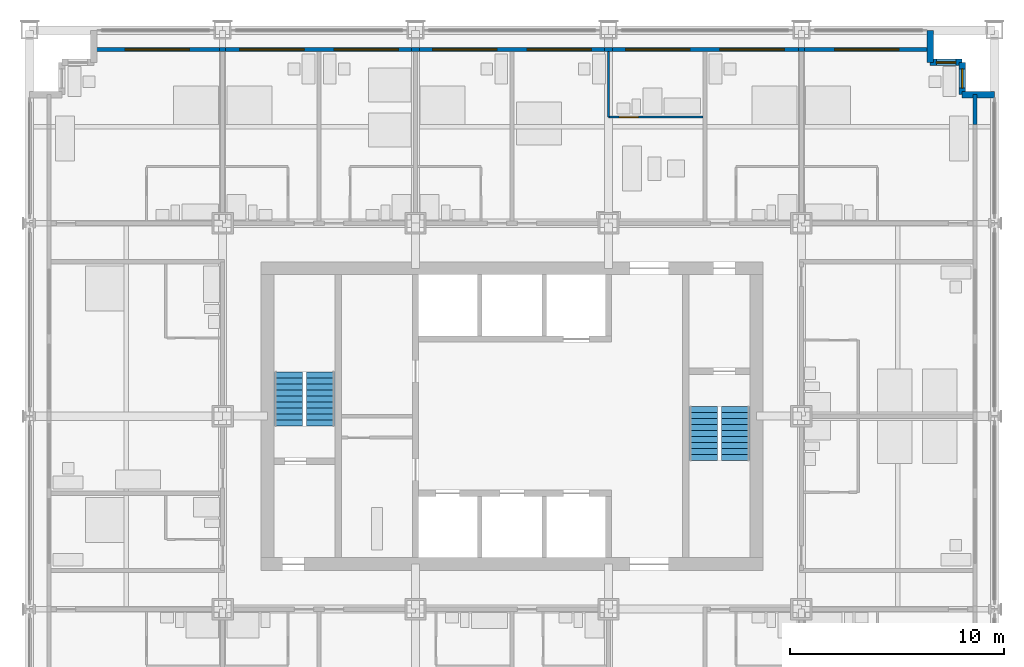
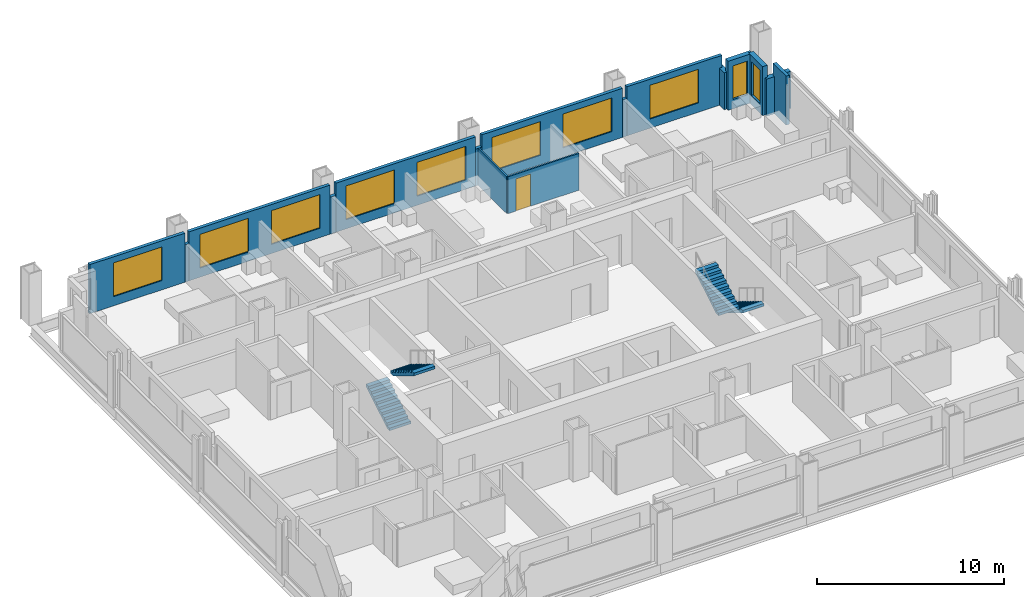
# One storey, part 13 of 16: 16 walls, 10 windows, 4 stair flights, 1 door, 11 openings, 2 elements without a shape of their own.
"""IFC4 building model written with IfcOpenShell, lengths in metres."""

from ifc_helpers import new_model, si_unit, direction, frame, frame_2d, origin, place, context, subcontext, project, spatial, polyline, rectangle, outline, extrude, material, layer, layer_set, type_object, element, fill, aggregate, save


model = new_model("IFC4")

# Units and contexts
model_context = context("Model", 3, precision=1e-05, world=origin(), true_north=direction((0.0, 1.0)))
body_context = subcontext(model_context, "Body", "Model", "MODEL_VIEW")
ifc_project = project(units=[si_unit("LENGTHUNIT", "METRE"), si_unit("AREAUNIT", "SQUARE_METRE"), si_unit("VOLUMEUNIT", "CUBIC_METRE"), si_unit("PLANEANGLEUNIT", "RADIAN"), si_unit("MASSUNIT", "GRAM", prefix="KILO")], contexts=[model_context])

# Site, building, storey
site_placement = place(None, origin())
site = spatial("IfcSite", under=ifc_project, at=site_placement, CompositionType="ELEMENT")
building_placement = place(site_placement, origin())
building = spatial("IfcBuilding", under=site, at=building_placement, Name="Loomwork Tower", CompositionType="ELEMENT")
storey_placement = place(building_placement, frame((0.0, 0.0, 97.60009765625)))
storey = spatial("IfcBuildingStorey", under=building, at=storey_placement, Name="L25", CompositionType="ELEMENT", Elevation=97.60009765625)

# Wall, opening, door
ifc_material_1 = material(Name="Cement board on steel studs", Category="steel")
ifc_layer_1 = layer(ifc_material_1, 0.10009765625)
ifc_layer_set_1 = layer_set([ifc_layer_1], Name="En-suite partition 100")
wall_type_1 = type_object("IfcWallType", Name="En-suite partition 100", PredefinedType="PARTITIONING", material=ifc_layer_set_1)
wall_1_placement = place(storey_placement, frame((27.0, 31.949951171875, 0.0), z_axis=(0.0, 0.0, 1.0), x_axis=(1.0, 0.0, 0.0)))
wall_1 = element("IfcWall", 1, at=wall_1_placement, inside=storey, type_object=wall_type_1, Name="Spa bathroom wall L25 room 11", PredefinedType="PARTITIONING", context=body_context, shape_type="SweptSolid", body=[
    extrude(rectangle(XDim=4.39990234375, YDim=0.10009765625, at=frame_2d((2.199951171875, 0.0))), origin(), (0.0, 0.0, 1.0), 2.40380859375),
])
opening_1_placement = place(wall_1_placement, frame((0.5, 0.0, 0.0)))
opening_1 = element("IfcOpeningElement", 2, at=opening_1_placement, cuts=wall_1, Name="Opening D2", PredefinedType="OPENING", context=body_context, shape_type="SweptSolid", body=[
    extrude(rectangle(XDim=0.89990234375, YDim=2.10009765625, at=frame_2d((0.449951171875, 1.050048828125))), frame((0.0, 0.06005859375, 0.0), z_axis=(0.0, -1.0, 0.0), x_axis=(1.0, 0.0, 0.0)), (0.0, 0.0, 1.0), 0.1201171875),
])
ifc_material_2 = material(Name="Hollow metal door and frame")
door_type = type_object("IfcDoorType", Name="En-suite door 900", OperationType="SINGLE_SWING_LEFT", PredefinedType="DOOR", material=ifc_material_2)
door_placement = place(opening_1_placement, origin())
door = element("IfcDoor", 3, at=door_placement, inside=storey, type_object=door_type, Name="Spa bathroom door room 11", OperationType="SINGLE_SWING_LEFT", OverallHeight=2.10009765625, OverallWidth=0.89990234375, PredefinedType="DOOR", context=body_context, shape_type="SweptSolid", body=[
    extrude(rectangle(XDim=0.89990234375, YDim=2.10009765625, at=frame_2d((0.449951171875, 1.050048828125))), frame((0.0, 0.02490234375, 0.0), z_axis=(0.0, -1.0, 0.0), x_axis=(1.0, 0.0, 0.0)), (0.0, 0.0, 1.0), 0.050048828125),
])
fill(opening_1, door)

# Wall
wall_2_placement = place(storey_placement, frame((27.0, 31.949951171875, 0.0), z_axis=(0.0, 0.0, 1.0), x_axis=(0.0, 1.0, 0.0)))
element("IfcWall", 4, at=wall_2_placement, inside=storey, type_object=wall_type_1, Name="Spa bathroom side wall L25 room 11", PredefinedType="PARTITIONING", context=body_context, shape_type="SweptSolid", body=[
    extrude(rectangle(XDim=3.050048828125, YDim=0.10009765625, at=frame_2d((1.52490234375, 0.0))), origin(), (0.0, 0.0, 1.0), 2.40478515625),
])

# Wall, opening, window
ifc_material_3 = material(Name="Insulated steel stud wall with gypsum lining", Category="steel")
ifc_layer_2 = layer(ifc_material_3, 0.199951171875)
ifc_layer_set_2 = layer_set([ifc_layer_2], Name="Inner skin wall 200")
wall_type_2 = type_object("IfcWallType", Name="Inner skin wall 200", PredefinedType="SOLIDWALL", material=ifc_layer_set_2)
wall_3_placement = place(storey_placement, frame((3.0, 35.10009765625, 0.0), z_axis=(0.0, 0.0, 1.0), x_axis=(1.0, 0.0, 0.0)))
wall_3 = element("IfcWall", 5, at=wall_3_placement, inside=storey, type_object=wall_type_2, Name="Inner skin wall N", PredefinedType="SOLIDWALL", context=body_context, shape_type="SweptSolid", body=[
    extrude(rectangle(XDim=5.86474609375, YDim=0.199951171875, at=frame_2d((2.932373046875, 0.0))), origin(), (0.0, 0.0, 1.0), 3.199951171875),
])
opening_2_placement = place(wall_3_placement, frame((1.449951171875, 0.0, 0.60009765625)))
opening_2 = element("IfcOpeningElement", 6, at=opening_2_placement, cuts=wall_3, Name="Opening CH1", PredefinedType="OPENING", context=body_context, shape_type="SweptSolid", body=[
    extrude(rectangle(XDim=3.0, YDim=2.199951171875, at=frame_2d((1.5, 1.10009765625))), frame((0.0, 0.10986328125, 0.0), z_axis=(0.0, -1.0, 0.0), x_axis=(1.0, 0.0, 0.0)), (0.0, 0.0, 1.0), 0.219970703125),
])
ifc_material_4 = material(Name="Aluminium frame with clear insulated glass", Category="aluminium")
window_type_1 = type_object("IfcWindowType", Name="Chicago window 3000", PartitioningType="TRIPLE_PANEL_VERTICAL", PredefinedType="WINDOW", material=ifc_material_4)
window_1_placement = place(opening_2_placement, origin())
window_1 = element("IfcWindow", 7, at=window_1_placement, inside=storey, type_object=window_type_1, Name="Chicago window L25 bay 6", OverallHeight=2.199951171875, OverallWidth=3.0, PartitioningType="TRIPLE_PANEL_VERTICAL", PredefinedType="WINDOW", context=body_context, shape_type="SweptSolid", body=[
    extrude(rectangle(XDim=3.0, YDim=2.199951171875, at=frame_2d((1.5, 1.10009765625))), frame((0.0, 0.030029296875, 0.0), z_axis=(0.0, -1.0, 0.0), x_axis=(1.0, 0.0, 0.0)), (0.0, 0.0, 1.0), 0.06005859375),
])
fill(opening_2, window_1)

# Wall
wall_4_placement = place(storey_placement, frame((8.86474609375, 35.10009765625, 0.0), z_axis=(0.0, 0.0, 1.0), x_axis=(1.0, 0.0, 0.0)))
element("IfcWall", 8, at=wall_4_placement, inside=storey, type_object=wall_type_2, Name="Inner skin wall N bay 2", PredefinedType="SOLIDWALL", context=body_context, shape_type="SweptSolid", body=[
    extrude(rectangle(XDim=0.2705078125, YDim=0.199951171875, at=frame_2d((0.13525390625, 0.0))), origin(), (0.0, 0.0, 1.0), 2.43798828125),
])

# Wall, openings, windows
wall_5_placement = place(storey_placement, frame((9.13525390625, 35.10009765625, 0.0), z_axis=(0.0, 0.0, 1.0), x_axis=(1.0, 0.0, 0.0)))
wall_5 = element("IfcWall", 9, at=wall_5_placement, inside=storey, type_object=wall_type_2, Name="Inner skin wall N bay 3", PredefinedType="SOLIDWALL", context=body_context, shape_type="SweptSolid", body=[
    extrude(rectangle(XDim=8.6708984375, YDim=0.199951171875, at=frame_2d((4.33544921875, 0.0))), origin(), (0.0, 0.0, 1.0), 3.199951171875),
])
opening_3_placement = place(wall_5_placement, frame((0.664794921875, 0.0, 0.60009765625)))
opening_3 = element("IfcOpeningElement", 10, at=opening_3_placement, cuts=wall_5, Name="Opening CH1", PredefinedType="OPENING", context=body_context, shape_type="SweptSolid", body=[
    extrude(rectangle(XDim=3.0, YDim=2.199951171875, at=frame_2d((1.5, 1.10009765625))), frame((0.0, 0.10986328125, 0.0), z_axis=(0.0, -1.0, 0.0), x_axis=(1.0, 0.0, 0.0)), (0.0, 0.0, 1.0), 0.219970703125),
])
opening_4_placement = place(wall_5_placement, frame((5.064697265625, 0.0, 0.60009765625)))
opening_4 = element("IfcOpeningElement", 11, at=opening_4_placement, cuts=wall_5, Name="Opening CH1", PredefinedType="OPENING", context=body_context, shape_type="SweptSolid", body=[
    extrude(rectangle(XDim=3.0, YDim=2.199951171875, at=frame_2d((1.5, 1.10009765625))), frame((0.0, 0.10986328125, 0.0), z_axis=(0.0, -1.0, 0.0), x_axis=(1.0, 0.0, 0.0)), (0.0, 0.0, 1.0), 0.219970703125),
])
window_2_placement = place(opening_3_placement, origin())
window_2 = element("IfcWindow", 12, at=window_2_placement, inside=storey, type_object=window_type_1, Name="Chicago window L25 bay 7", OverallHeight=2.199951171875, OverallWidth=3.0, PartitioningType="TRIPLE_PANEL_VERTICAL", PredefinedType="WINDOW", context=body_context, shape_type="SweptSolid", body=[
    extrude(rectangle(XDim=3.0, YDim=2.199951171875, at=frame_2d((1.5, 1.10009765625))), frame((0.0, 0.030029296875, 0.0), z_axis=(0.0, -1.0, 0.0), x_axis=(1.0, 0.0, 0.0)), (0.0, 0.0, 1.0), 0.06005859375),
])
fill(opening_3, window_2)
window_3_placement = place(opening_4_placement, origin())
window_3 = element("IfcWindow", 13, at=window_3_placement, inside=storey, type_object=window_type_1, Name="Chicago window L25 bay 7", OverallHeight=2.199951171875, OverallWidth=3.0, PartitioningType="TRIPLE_PANEL_VERTICAL", PredefinedType="WINDOW", context=body_context, shape_type="SweptSolid", body=[
    extrude(rectangle(XDim=3.0, YDim=2.199951171875, at=frame_2d((1.5, 1.10009765625))), frame((0.0, 0.030029296875, 0.0), z_axis=(0.0, -1.0, 0.0), x_axis=(1.0, 0.0, 0.0)), (0.0, 0.0, 1.0), 0.06005859375),
])
fill(opening_4, window_3)

# Wall
wall_6_placement = place(storey_placement, frame((17.80615234375, 35.10009765625, 0.0), z_axis=(0.0, 0.0, 1.0), x_axis=(1.0, 0.0, 0.0)))
element("IfcWall", 14, at=wall_6_placement, inside=storey, type_object=wall_type_2, Name="Inner skin wall N bay 4", PredefinedType="SOLIDWALL", context=body_context, shape_type="SweptSolid", body=[
    extrude(rectangle(XDim=0.3876953125, YDim=0.199951171875, at=frame_2d((0.19384765625, 0.0))), origin(), (0.0, 0.0, 1.0), 2.40380859375),
])

# Wall, openings, windows
wall_7_placement = place(storey_placement, frame((18.19384765625, 35.10009765625, 0.0), z_axis=(0.0, 0.0, 1.0), x_axis=(1.0, 0.0, 0.0)))
wall_7 = element("IfcWall", 15, at=wall_7_placement, inside=storey, type_object=wall_type_2, Name="Inner skin wall N bay 5", PredefinedType="SOLIDWALL", context=body_context, shape_type="SweptSolid", body=[
    extrude(rectangle(XDim=8.6123046875, YDim=0.199951171875, at=frame_2d((4.30615234375, 0.0))), origin(), (0.0, 0.0, 1.0), 3.199951171875),
])
opening_5_placement = place(wall_7_placement, frame((0.606201171875, 0.0, 0.60009765625)))
opening_5 = element("IfcOpeningElement", 16, at=opening_5_placement, cuts=wall_7, Name="Opening CH1", PredefinedType="OPENING", context=body_context, shape_type="SweptSolid", body=[
    extrude(rectangle(XDim=3.0, YDim=2.199951171875, at=frame_2d((1.5, 1.10009765625))), frame((0.0, 0.10986328125, 0.0), z_axis=(0.0, -1.0, 0.0), x_axis=(1.0, 0.0, 0.0)), (0.0, 0.0, 1.0), 0.219970703125),
])
opening_6_placement = place(wall_7_placement, frame((5.006103515625, 0.0, 0.60009765625)))
opening_6 = element("IfcOpeningElement", 17, at=opening_6_placement, cuts=wall_7, Name="Opening CH1", PredefinedType="OPENING", context=body_context, shape_type="SweptSolid", body=[
    extrude(rectangle(XDim=3.0, YDim=2.199951171875, at=frame_2d((1.5, 1.10009765625))), frame((0.0, 0.10986328125, 0.0), z_axis=(0.0, -1.0, 0.0), x_axis=(1.0, 0.0, 0.0)), (0.0, 0.0, 1.0), 0.219970703125),
])
window_4_placement = place(opening_5_placement, origin())
window_4 = element("IfcWindow", 18, at=window_4_placement, inside=storey, type_object=window_type_1, Name="Chicago window L25 bay 8", OverallHeight=2.199951171875, OverallWidth=3.0, PartitioningType="TRIPLE_PANEL_VERTICAL", PredefinedType="WINDOW", context=body_context, shape_type="SweptSolid", body=[
    extrude(rectangle(XDim=3.0, YDim=2.199951171875, at=frame_2d((1.5, 1.10009765625))), frame((0.0, 0.030029296875, 0.0), z_axis=(0.0, -1.0, 0.0), x_axis=(1.0, 0.0, 0.0)), (0.0, 0.0, 1.0), 0.06005859375),
])
fill(opening_5, window_4)
window_5_placement = place(opening_6_placement, origin())
window_5 = element("IfcWindow", 19, at=window_5_placement, inside=storey, type_object=window_type_1, Name="Chicago window L25 bay 8", OverallHeight=2.199951171875, OverallWidth=3.0, PartitioningType="TRIPLE_PANEL_VERTICAL", PredefinedType="WINDOW", context=body_context, shape_type="SweptSolid", body=[
    extrude(rectangle(XDim=3.0, YDim=2.199951171875, at=frame_2d((1.5, 1.10009765625))), frame((0.0, 0.030029296875, 0.0), z_axis=(0.0, -1.0, 0.0), x_axis=(1.0, 0.0, 0.0)), (0.0, 0.0, 1.0), 0.06005859375),
])
fill(opening_6, window_5)

# Wall
wall_8_placement = place(storey_placement, frame((26.80615234375, 35.10009765625, 0.0), z_axis=(0.0, 0.0, 1.0), x_axis=(1.0, 0.0, 0.0)))
element("IfcWall", 20, at=wall_8_placement, inside=storey, type_object=wall_type_2, Name="Inner skin wall N bay 6", PredefinedType="SOLIDWALL", context=body_context, shape_type="SweptSolid", body=[
    extrude(rectangle(XDim=0.3876953125, YDim=0.199951171875, at=frame_2d((0.19384765625, 0.0))), origin(), (0.0, 0.0, 1.0), 2.40380859375),
])

# Wall, openings, windows
wall_9_placement = place(storey_placement, frame((27.19384765625, 35.10009765625, 0.0), z_axis=(0.0, 0.0, 1.0), x_axis=(1.0, 0.0, 0.0)))
wall_9 = element("IfcWall", 21, at=wall_9_placement, inside=storey, type_object=wall_type_2, Name="Inner skin wall N bay 7", PredefinedType="SOLIDWALL", context=body_context, shape_type="SweptSolid", body=[
    extrude(rectangle(XDim=8.670654296875, YDim=0.199951171875, at=frame_2d((4.33544921875, 0.0))), origin(), (0.0, 0.0, 1.0), 3.199951171875),
])
opening_7_placement = place(wall_9_placement, frame((0.606201171875, 0.0, 0.60009765625)))
opening_7 = element("IfcOpeningElement", 22, at=opening_7_placement, cuts=wall_9, Name="Opening CH1", PredefinedType="OPENING", context=body_context, shape_type="SweptSolid", body=[
    extrude(rectangle(XDim=3.0, YDim=2.199951171875, at=frame_2d((1.5, 1.10009765625))), frame((0.0, 0.10986328125, 0.0), z_axis=(0.0, -1.0, 0.0), x_axis=(1.0, 0.0, 0.0)), (0.0, 0.0, 1.0), 0.219970703125),
])
opening_8_placement = place(wall_9_placement, frame((5.006103515625, 0.0, 0.60009765625)))
opening_8 = element("IfcOpeningElement", 23, at=opening_8_placement, cuts=wall_9, Name="Opening CH1", PredefinedType="OPENING", context=body_context, shape_type="SweptSolid", body=[
    extrude(rectangle(XDim=3.0, YDim=2.199951171875, at=frame_2d((1.5, 1.10009765625))), frame((0.0, 0.10986328125, 0.0), z_axis=(0.0, -1.0, 0.0), x_axis=(1.0, 0.0, 0.0)), (0.0, 0.0, 1.0), 0.219970703125),
])
window_6_placement = place(opening_7_placement, origin())
window_6 = element("IfcWindow", 24, at=window_6_placement, inside=storey, type_object=window_type_1, Name="Chicago window L25 bay 9", OverallHeight=2.199951171875, OverallWidth=3.0, PartitioningType="TRIPLE_PANEL_VERTICAL", PredefinedType="WINDOW", context=body_context, shape_type="SweptSolid", body=[
    extrude(rectangle(XDim=3.0, YDim=2.199951171875, at=frame_2d((1.5, 1.10009765625))), frame((0.0, 0.030029296875, 0.0), z_axis=(0.0, -1.0, 0.0), x_axis=(1.0, 0.0, 0.0)), (0.0, 0.0, 1.0), 0.06005859375),
])
fill(opening_7, window_6)
window_7_placement = place(opening_8_placement, origin())
window_7 = element("IfcWindow", 25, at=window_7_placement, inside=storey, type_object=window_type_1, Name="Chicago window L25 bay 9", OverallHeight=2.199951171875, OverallWidth=3.0, PartitioningType="TRIPLE_PANEL_VERTICAL", PredefinedType="WINDOW", context=body_context, shape_type="SweptSolid", body=[
    extrude(rectangle(XDim=3.0, YDim=2.199951171875, at=frame_2d((1.5, 1.10009765625))), frame((0.0, 0.030029296875, 0.0), z_axis=(0.0, -1.0, 0.0), x_axis=(1.0, 0.0, 0.0)), (0.0, 0.0, 1.0), 0.06005859375),
])
fill(opening_8, window_7)

# Wall
wall_10_placement = place(storey_placement, frame((35.864501953125, 35.10009765625, 0.0), z_axis=(0.0, 0.0, 1.0), x_axis=(1.0, 0.0, 0.0)))
element("IfcWall", 26, at=wall_10_placement, inside=storey, type_object=wall_type_2, Name="Inner skin wall N bay 8", PredefinedType="SOLIDWALL", context=body_context, shape_type="SweptSolid", body=[
    extrude(rectangle(XDim=0.27099609375, YDim=0.199951171875, at=frame_2d((0.135498046875, 0.0))), origin(), (0.0, 0.0, 1.0), 2.43798828125),
])

# Wall, opening, window
wall_11_placement = place(storey_placement, frame((36.135498046875, 35.10009765625, 0.0), z_axis=(0.0, 0.0, 1.0), x_axis=(1.0, 0.0, 0.0)))
wall_11 = element("IfcWall", 27, at=wall_11_placement, inside=storey, type_object=wall_type_2, Name="Inner skin wall N bay 9", PredefinedType="SOLIDWALL", context=body_context, shape_type="SweptSolid", body=[
    extrude(rectangle(XDim=5.864501953125, YDim=0.199951171875, at=frame_2d((2.93212890625, 0.0))), origin(), (0.0, 0.0, 1.0), 3.199951171875),
])
opening_9_placement = place(wall_11_placement, frame((1.41455078125, 0.0, 0.60009765625)))
opening_9 = element("IfcOpeningElement", 28, at=opening_9_placement, cuts=wall_11, Name="Opening CH1", PredefinedType="OPENING", context=body_context, shape_type="SweptSolid", body=[
    extrude(rectangle(XDim=3.0, YDim=2.199951171875, at=frame_2d((1.5, 1.10009765625))), frame((0.0, 0.10986328125, 0.0), z_axis=(0.0, -1.0, 0.0), x_axis=(1.0, 0.0, 0.0)), (0.0, 0.0, 1.0), 0.219970703125),
])
window_8_placement = place(opening_9_placement, origin())
window_8 = element("IfcWindow", 29, at=window_8_placement, inside=storey, type_object=window_type_1, Name="Chicago window L25 bay 10", OverallHeight=2.199951171875, OverallWidth=3.0, PartitioningType="TRIPLE_PANEL_VERTICAL", PredefinedType="WINDOW", context=body_context, shape_type="SweptSolid", body=[
    extrude(rectangle(XDim=3.0, YDim=2.199951171875, at=frame_2d((1.5, 1.10009765625))), frame((0.0, 0.030029296875, 0.0), z_axis=(0.0, -1.0, 0.0), x_axis=(1.0, 0.0, 0.0)), (0.0, 0.0, 1.0), 0.06005859375),
])
fill(opening_9, window_8)

# Walls
wall_12_placement = place(storey_placement, frame((44.10009765625, 31.607421875, 0.0), z_axis=(0.0, 0.0, 1.0), x_axis=(0.0, 1.0, 0.0)))
element("IfcWall", 30, at=wall_12_placement, inside=storey, type_object=wall_type_2, Name="Inner skin wall E bay 11", PredefinedType="SOLIDWALL", context=body_context, shape_type="SweptSolid", body=[
    extrude(rectangle(XDim=1.392578125, YDim=0.199951171875, at=frame_2d((0.6962890625, 0.0))), origin(), (0.0, 0.0, 1.0), 3.199951171875),
])
ifc_material_5 = material(Name="Limestone on concrete masonry", Category="masonry")
ifc_layer_3 = layer(ifc_material_5, 0.300048828125)
ifc_layer_set_3 = layer_set([ifc_layer_3], Name="Limestone corner wall 300")
wall_type_3 = type_object("IfcWallType", Name="Limestone corner wall 300", PredefinedType="SOLIDWALL", material=ifc_layer_set_3)
wall_13_placement = place(storey_placement, frame((45.0, 33.0, 0.0), z_axis=(0.0, 0.0, 1.0), x_axis=(-1.0, 0.0, 0.0)))
element("IfcWall", 31, at=wall_13_placement, inside=storey, type_object=wall_type_3, Name="Stone corner wall NE 1", PredefinedType="SOLIDWALL", context=body_context, shape_type="SweptSolid", body=[
    extrude(rectangle(XDim=1.5, YDim=0.300048828125, at=frame_2d((0.75, 0.0))), origin(), (0.0, 0.0, 1.0), 2.419921875),
])

# Wall, opening, window
wall_14_placement = place(storey_placement, frame((43.5, 33.0, 0.0), z_axis=(0.0, 0.0, 1.0), x_axis=(0.0, 1.0, 0.0)))
wall_14 = element("IfcWall", 32, at=wall_14_placement, inside=storey, type_object=wall_type_3, Name="Stone corner wall NE 2", PredefinedType="SOLIDWALL", context=body_context, shape_type="SweptSolid", body=[
    extrude(rectangle(XDim=1.5, YDim=0.300048828125, at=frame_2d((0.75, 0.0))), origin(), (0.0, 0.0, 1.0), 3.199951171875),
])
opening_10_placement = place(wall_14_placement, frame((0.300048828125, 0.0, 0.60009765625)))
opening_10 = element("IfcOpeningElement", 33, at=opening_10_placement, cuts=wall_14, Name="Opening CH2", PredefinedType="OPENING", context=body_context, shape_type="SweptSolid", body=[
    extrude(rectangle(XDim=0.89990234375, YDim=2.199951171875, at=frame_2d((0.449951171875, 1.10009765625))), frame((0.0, 0.159912109375, 0.0), z_axis=(0.0, -1.0, 0.0), x_axis=(1.0, 0.0, 0.0)), (0.0, 0.0, 1.0), 0.320068359375),
])
ifc_material_6 = material(Name="Aluminium frame with clear insulated glass", Category="aluminium")
window_type_2 = type_object("IfcWindowType", Name="Corner window 900", PartitioningType="SINGLE_PANEL", PredefinedType="WINDOW", material=ifc_material_6)
window_9_placement = place(opening_10_placement, origin())
window_9 = element("IfcWindow", 34, at=window_9_placement, inside=storey, type_object=window_type_2, Name="Corner window NE", OverallHeight=2.199951171875, OverallWidth=0.89990234375, PartitioningType="SINGLE_PANEL", PredefinedType="WINDOW", context=body_context, shape_type="SweptSolid", body=[
    extrude(rectangle(XDim=0.89990234375, YDim=2.199951171875, at=frame_2d((0.449951171875, 1.10009765625))), frame((0.0, 0.030029296875, 0.0), z_axis=(0.0, -1.0, 0.0), x_axis=(1.0, 0.0, 0.0)), (0.0, 0.0, 1.0), 0.06005859375),
])
fill(opening_10, window_9)

wall_15_placement = place(storey_placement, frame((43.5, 34.5, 0.0), z_axis=(0.0, 0.0, 1.0), x_axis=(-1.0, 0.0, 0.0)))
wall_15 = element("IfcWall", 35, at=wall_15_placement, inside=storey, type_object=wall_type_3, Name="Stone corner wall NE 3", PredefinedType="SOLIDWALL", context=body_context, shape_type="SweptSolid", body=[
    extrude(rectangle(XDim=1.5, YDim=0.300048828125, at=frame_2d((0.75, 0.0))), origin(), (0.0, 0.0, 1.0), 3.199951171875),
])
opening_11_placement = place(wall_15_placement, frame((0.300048828125, 0.0, 0.60009765625)))
opening_11 = element("IfcOpeningElement", 36, at=opening_11_placement, cuts=wall_15, Name="Opening CH2", PredefinedType="OPENING", context=body_context, shape_type="SweptSolid", body=[
    extrude(rectangle(XDim=0.89990234375, YDim=2.199951171875, at=frame_2d((0.449951171875, 1.10009765625))), frame((0.0, 0.159912109375, 0.0), z_axis=(0.0, -1.0, 0.0), x_axis=(1.0, 0.0, 0.0)), (0.0, 0.0, 1.0), 0.320068359375),
])
window_10_placement = place(opening_11_placement, origin())
window_10 = element("IfcWindow", 37, at=window_10_placement, inside=storey, type_object=window_type_2, Name="Corner window NE", OverallHeight=2.199951171875, OverallWidth=0.89990234375, PartitioningType="SINGLE_PANEL", PredefinedType="WINDOW", context=body_context, shape_type="SweptSolid", body=[
    extrude(rectangle(XDim=0.89990234375, YDim=2.199951171875, at=frame_2d((0.449951171875, 1.10009765625))), frame((0.0, 0.030029296875, 0.0), z_axis=(0.0, -1.0, 0.0), x_axis=(1.0, 0.0, 0.0)), (0.0, 0.0, 1.0), 0.06005859375),
])
fill(opening_11, window_10)

# Wall
wall_16_placement = place(storey_placement, frame((42.0, 34.5, 0.0), z_axis=(0.0, 0.0, 1.0), x_axis=(0.0, 1.0, 0.0)))
element("IfcWall", 38, at=wall_16_placement, inside=storey, type_object=wall_type_3, Name="Stone corner wall NE 4", PredefinedType="SOLIDWALL", context=body_context, shape_type="SweptSolid", body=[
    extrude(rectangle(XDim=1.5, YDim=0.300048828125, at=frame_2d((0.75, 0.0))), origin(), (0.0, 0.0, 1.0), 2.419921875),
])

# Stair, stair flights
ifc_material_7 = material(Name="Concrete 5000 psi (34 MPa) precast stair", Category="concrete")
stair_type_1 = type_object("IfcStairType", Name="Stair ST-A 20 risers 2850 wide", PredefinedType="HALF_TURN_STAIR", material=ifc_material_7)
stair_1_placement = place(storey_placement, origin())
stair_1 = element("IfcStair", 39, at=stair_1_placement, inside=storey, type_object=stair_type_1, Name="Stair A L25", PredefinedType="HALF_TURN_STAIR")
ifc_material_8 = material(Name="Concrete 5000 psi (34 MPa) precast stair", Category="concrete")
stair_flight_type_1 = type_object("IfcStairFlightType", Name="Stair flight ST-A 10 risers 1300 wide", PredefinedType="STRAIGHT", material=ifc_material_8)
stair_flight_1_placement = place(storey_placement, frame((12.074951171875, 17.550048828125, 0.0), z_axis=(0.0, 0.0, 1.0), x_axis=(0.0, 1.0, 0.0)))
stair_flight_1 = element("IfcStairFlight", 40, at=stair_flight_1_placement, type_object=stair_flight_type_1, Name="ST-A flight 1", NumberOfRisers=10, NumberOfTreads=9, PredefinedType="STRAIGHT", RiserHeight=0.17, TreadLength=0.28, context=body_context, shape_type="SweptSolid", body=[
    extrude(outline(polyline([(0.0, 0.0), (0.0, 0.169921875), (0.280029296875, 0.169921875), (0.280029296875, 0.340087890625), (0.56005859375, 0.340087890625), (0.56005859375, 0.510009765625), (0.840087890625, 0.510009765625), (0.840087890625, 0.679931640625), (1.1201171875, 0.679931640625), (1.1201171875, 0.85009765625), (1.39990234375, 0.85009765625), (1.39990234375, 1.02001953125), (1.679931640625, 1.02001953125), (1.679931640625, 1.18994140625), (1.9599609375, 1.18994140625), (1.9599609375, 1.360107421875), (2.239990234375, 1.360107421875), (2.239990234375, 1.530029296875), (2.52001953125, 1.530029296875), (2.52001953125, 1.699951171875), (2.52001953125, 1.354736328125), (0.288818359375, 0.0), (0.0, 0.0)])), frame((0.0, 0.64990234375, 0.0), z_axis=(0.0, -1.0, 0.0), x_axis=(1.0, 0.0, 0.0)), (0.0, 0.0, 1.0), 1.300048828125),
])
stair_flight_2_placement = place(storey_placement, frame((13.574951171875, 20.070068359375, 1.699951171875), z_axis=(0.0, 0.0, 1.0), x_axis=(0.0, -1.0, 0.0)))
stair_flight_2 = element("IfcStairFlight", 41, at=stair_flight_2_placement, type_object=stair_flight_type_1, Name="ST-A flight 2", NumberOfRisers=10, NumberOfTreads=9, PredefinedType="STRAIGHT", RiserHeight=0.17, TreadLength=0.28, context=body_context, shape_type="SweptSolid", body=[
    extrude(outline(polyline([(0.0, 0.0), (0.0, 0.169921875), (0.280029296875, 0.169921875), (0.280029296875, 0.340087890625), (0.56005859375, 0.340087890625), (0.56005859375, 0.510009765625), (0.840087890625, 0.510009765625), (0.840087890625, 0.679931640625), (1.1201171875, 0.679931640625), (1.1201171875, 0.85009765625), (1.39990234375, 0.85009765625), (1.39990234375, 1.02001953125), (1.679931640625, 1.02001953125), (1.679931640625, 1.18994140625), (1.9599609375, 1.18994140625), (1.9599609375, 1.360107421875), (2.239990234375, 1.360107421875), (2.239990234375, 1.530029296875), (2.52001953125, 1.530029296875), (2.52001953125, 1.699951171875), (2.52001953125, 1.354736328125), (0.288818359375, 0.0), (0.0, 0.0)])), frame((0.0, 0.64990234375, 0.0), z_axis=(0.0, -1.0, 0.0), x_axis=(1.0, 0.0, 0.0)), (0.0, 0.0, 1.0), 1.300048828125),
])
aggregate(stair_1, [stair_flight_1, stair_flight_2])

ifc_material_9 = material(Name="Concrete 5000 psi (34 MPa) precast stair", Category="concrete")
stair_type_2 = type_object("IfcStairType", Name="Stair ST-B 20 risers 2850 wide", PredefinedType="HALF_TURN_STAIR", material=ifc_material_9)
stair_2_placement = place(storey_placement, origin())
stair_2 = element("IfcStair", 42, at=stair_2_placement, inside=storey, type_object=stair_type_2, Name="Stair B L25", PredefinedType="HALF_TURN_STAIR")
ifc_material_10 = material(Name="Concrete 5000 psi (34 MPa) precast stair", Category="concrete")
stair_flight_type_2 = type_object("IfcStairFlightType", Name="Stair flight ST-B 10 risers 1300 wide", PredefinedType="STRAIGHT", material=ifc_material_10)
stair_flight_3_placement = place(storey_placement, frame((32.925048828125, 18.449951171875, 0.0), z_axis=(0.0, 0.0, 1.0), x_axis=(0.0, -1.0, 0.0)))
stair_flight_3 = element("IfcStairFlight", 43, at=stair_flight_3_placement, type_object=stair_flight_type_2, Name="ST-B flight 1", NumberOfRisers=10, NumberOfTreads=9, PredefinedType="STRAIGHT", RiserHeight=0.17, TreadLength=0.28, context=body_context, shape_type="SweptSolid", body=[
    extrude(outline(polyline([(0.0, 0.0), (0.0, 0.169921875), (0.280029296875, 0.169921875), (0.280029296875, 0.340087890625), (0.56005859375, 0.340087890625), (0.56005859375, 0.510009765625), (0.840087890625, 0.510009765625), (0.840087890625, 0.679931640625), (1.1201171875, 0.679931640625), (1.1201171875, 0.85009765625), (1.39990234375, 0.85009765625), (1.39990234375, 1.02001953125), (1.679931640625, 1.02001953125), (1.679931640625, 1.18994140625), (1.9599609375, 1.18994140625), (1.9599609375, 1.360107421875), (2.239990234375, 1.360107421875), (2.239990234375, 1.530029296875), (2.52001953125, 1.530029296875), (2.52001953125, 1.699951171875), (2.52001953125, 1.354736328125), (0.288818359375, 0.0), (0.0, 0.0)])), frame((0.0, 0.64990234375, 0.0), z_axis=(0.0, -1.0, 0.0), x_axis=(1.0, 0.0, 0.0)), (0.0, 0.0, 1.0), 1.300048828125),
])
stair_flight_4_placement = place(storey_placement, frame((31.425048828125, 15.929931640625, 1.699951171875), z_axis=(0.0, 0.0, 1.0), x_axis=(0.0, 1.0, 0.0)))
stair_flight_4 = element("IfcStairFlight", 44, at=stair_flight_4_placement, type_object=stair_flight_type_2, Name="ST-B flight 2", NumberOfRisers=10, NumberOfTreads=9, PredefinedType="STRAIGHT", RiserHeight=0.17, TreadLength=0.28, context=body_context, shape_type="SweptSolid", body=[
    extrude(outline(polyline([(0.0, 0.0), (0.0, 0.169921875), (0.280029296875, 0.169921875), (0.280029296875, 0.340087890625), (0.56005859375, 0.340087890625), (0.56005859375, 0.510009765625), (0.840087890625, 0.510009765625), (0.840087890625, 0.679931640625), (1.1201171875, 0.679931640625), (1.1201171875, 0.85009765625), (1.39990234375, 0.85009765625), (1.39990234375, 1.02001953125), (1.679931640625, 1.02001953125), (1.679931640625, 1.18994140625), (1.9599609375, 1.18994140625), (1.9599609375, 1.360107421875), (2.239990234375, 1.360107421875), (2.239990234375, 1.530029296875), (2.52001953125, 1.530029296875), (2.52001953125, 1.699951171875), (2.52001953125, 1.354736328125), (0.288818359375, 0.0), (0.0, 0.0)])), frame((0.0, 0.64990234375, 0.0), z_axis=(0.0, -1.0, 0.0), x_axis=(1.0, 0.0, 0.0)), (0.0, 0.0, 1.0), 1.300048828125),
])
aggregate(stair_2, [stair_flight_3, stair_flight_4])

save(model, "model.ifc")
